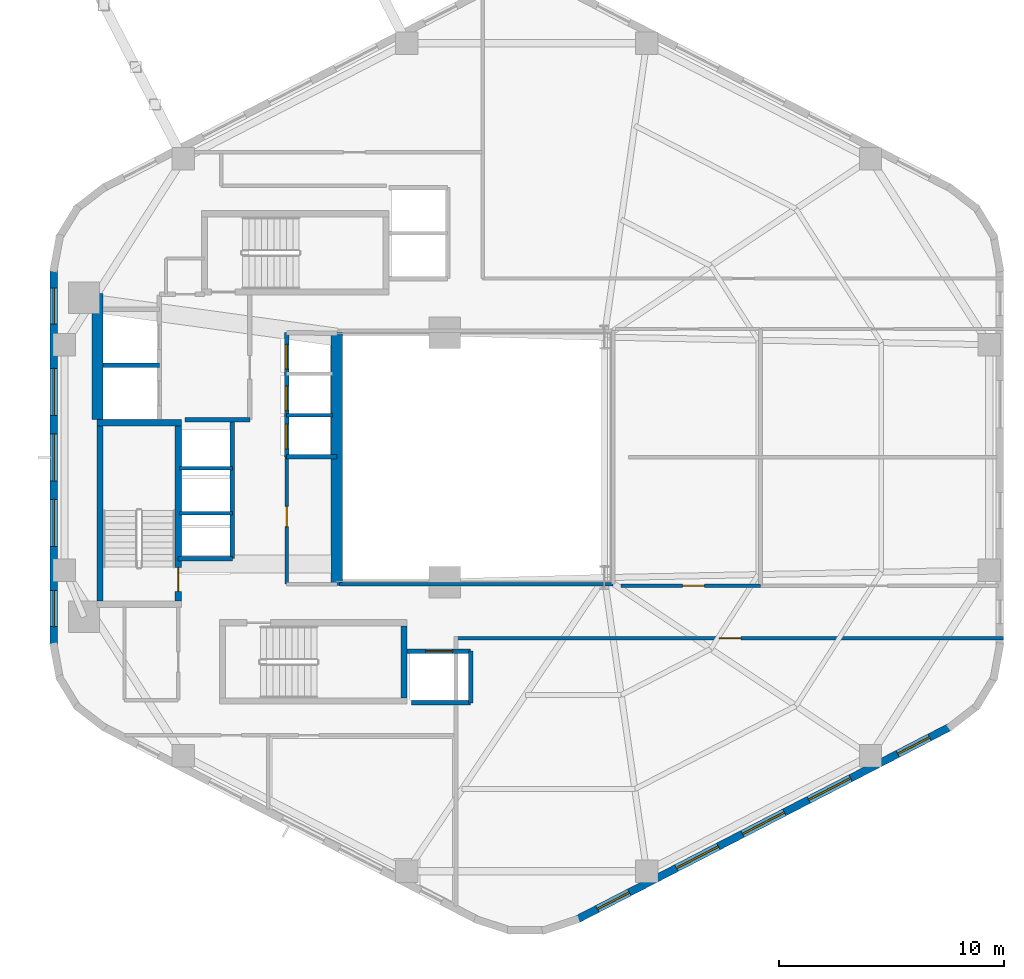
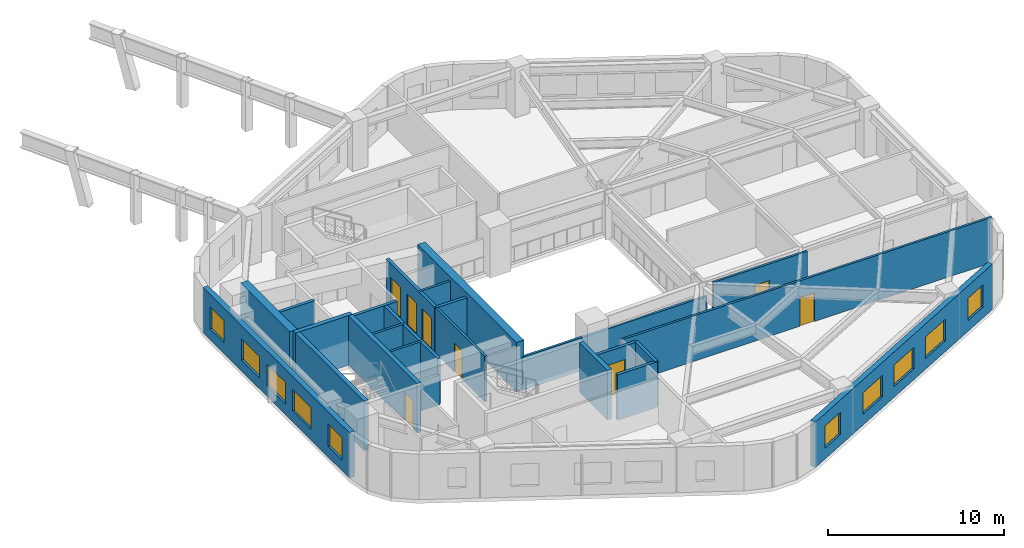
# One storey, part 3 of 6: 24 walls, 10 windows, 8 doors, 18 openings.
"""IFC4 building model written with IfcOpenShell, lengths in metres."""

from ifc_helpers import new_model, si_unit, direction, frame, frame_2d, origin, place, context, subcontext, project, spatial, rectangle, extrude, material, layer, layer_set, type_object, element, fill, save


model = new_model("IFC4")

# Units and contexts
model_context = context("Model", 3, precision=1e-05, world=origin(), true_north=direction((0.0, 1.0)))
body_context = subcontext(model_context, "Body", "Model", "MODEL_VIEW")
ifc_project = project(units=[si_unit("LENGTHUNIT", "METRE"), si_unit("AREAUNIT", "SQUARE_METRE"), si_unit("VOLUMEUNIT", "CUBIC_METRE"), si_unit("PLANEANGLEUNIT", "RADIAN"), si_unit("MASSUNIT", "GRAM", prefix="KILO"), si_unit("THERMODYNAMICTEMPERATUREUNIT", "KELVIN"), si_unit("POWERUNIT", "WATT")], contexts=[model_context])

# Site, building, storey
site_placement = place(None, origin())
site = spatial("IfcSite", under=ifc_project, at=site_placement, CompositionType="ELEMENT")
building_placement = place(site_placement, origin())
building = spatial("IfcBuilding", under=site, at=building_placement, Name="Skarre Station Tower", CompositionType="ELEMENT")
storey_placement = place(building_placement, frame((0.0, 0.0, 136.050048828125)))
storey = spatial("IfcBuildingStorey", under=building, at=storey_placement, Name="L36", CompositionType="ELEMENT", Elevation=136.050048828125)

# Wall, opening, door
ifc_material_1 = material(Name="Acoustic Steel-Stud Gypsum Partition", Category="steel")
ifc_layer_1 = layer(ifc_material_1, 0.14990234375, Name="Acoustic Steel-Stud Gypsum Partition")
ifc_layer_set_1 = layer_set([ifc_layer_1], Name="Acoustic Steel-Stud Gypsum Partition")
wall_type_1 = type_object("IfcWallType", Name="Fire-Rated Corridor Acoustic Partition 150", PredefinedType="PARTITIONING", material=ifc_layer_set_1)
wall_1_placement = place(storey_placement, frame((25.320068359375, 24.02001953125, 0.0), z_axis=(0.0, 0.0, 1.0), x_axis=(0.0, -1.0, 0.0)))
wall_1 = element("IfcWall", 1, at=wall_1_placement, inside=storey, type_object=wall_type_1, Name="L36 Interior Partition WL-PT-L36-RC1-W", PredefinedType="PARTITIONING", context=body_context, shape_type="SweptSolid", body=[
    extrude(rectangle(XDim=5.659912109375, YDim=0.14990234375, at=frame_2d((2.830078125, 0.0))), origin(), (0.0, 0.0, 1.0), 3.159912109375),
])
opening_1_placement = place(wall_1_placement, frame((2.199951171875, 0.0, 0.0)))
opening_1 = element("IfcOpeningElement", 2, at=opening_1_placement, cuts=wall_1, Name="Opening DR-SVC90", PredefinedType="OPENING", context=body_context, shape_type="SweptSolid", body=[
    extrude(rectangle(XDim=0.89990234375, YDim=2.0, at=frame_2d((0.449951171875, 1.0))), frame((0.0, 0.0849609375, 0.0), z_axis=(0.0, -1.0, 0.0), x_axis=(1.0, 0.0, 0.0)), (0.0, 0.0, 1.0), 0.169921875),
])
ifc_material_2 = material(Name="Powder-Coated Hollow-Metal Acoustic Fire Leaf", Category="steel")
door_type_1 = type_object("IfcDoorType", Name="Service & Riser Fire Door FD60 900x2100", OperationType="SINGLE_SWING_LEFT", PredefinedType="DOOR", material=ifc_material_2)
door_1_placement = place(opening_1_placement, origin())
door_1 = element("IfcDoor", 3, at=door_1_placement, inside=storey, type_object=door_type_1, Name="L36 Guest Pantry Door", OperationType="SINGLE_SWING_LEFT", OverallHeight=2.0, OverallWidth=0.89990234375, PredefinedType="DOOR", context=body_context, shape_type="SweptSolid", body=[
    extrude(rectangle(XDim=0.89990234375, YDim=2.0, at=frame_2d((0.449951171875, 1.0))), frame((0.0, 0.02490234375, 0.0), z_axis=(0.0, -1.0, 0.0), x_axis=(1.0, 0.0, 0.0)), (0.0, 0.0, 1.0), 0.050048828125),
])
fill(opening_1, door_1)

# Wall
wall_2_placement = place(storey_placement, frame((27.675048828125, 18.360107421875, 0.0), z_axis=(0.0, 0.0, 1.0), x_axis=(1.0, 0.0, 0.0)))
element("IfcWall", 4, at=wall_2_placement, inside=storey, type_object=wall_type_1, Name="L36 Interior Partition WL-PT-L36-ATRW-S", PredefinedType="PARTITIONING", context=body_context, shape_type="SweptSolid", body=[
    extrude(rectangle(XDim=12.1650390625, YDim=0.14990234375, at=frame_2d((6.08251953125, 0.0))), origin(), (0.0, 0.0, 1.0), 2.301025390625),
])

# Wall, opening, door
wall_3_placement = place(storey_placement, frame((46.39306640625, 18.2900390625, 0.0), z_axis=(0.0, 0.0, 1.0), x_axis=(-1.0, 0.0, 0.0)))
wall_3 = element("IfcWall", 5, at=wall_3_placement, inside=storey, type_object=wall_type_1, Name="L36 Interior Partition WL-PT-L36-EWS1-CW", PredefinedType="PARTITIONING", context=body_context, shape_type="SweptSolid", body=[
    extrude(rectangle(XDim=6.193115234375, YDim=0.14990234375, at=frame_2d((3.0966796875, 0.0))), origin(), (0.0, 0.0, 1.0), 3.159912109375),
])
opening_2_placement = place(wall_3_placement, frame((2.49609375, 0.0, 0.0)))
opening_2 = element("IfcOpeningElement", 6, at=opening_2_placement, cuts=wall_3, Name="Opening DR-FD60", PredefinedType="OPENING", context=body_context, shape_type="SweptSolid", body=[
    extrude(rectangle(XDim=0.9599609375, YDim=2.0, at=frame_2d((0.47998046875, 1.0))), frame((0.0, 0.0849609375, 0.0), z_axis=(0.0, -1.0, 0.0), x_axis=(1.0, 0.0, 0.0)), (0.0, 0.0, 1.0), 0.169921875),
])
ifc_material_3 = material(Name="Nordic White-Oak Veneer Solid-Core Fire Leaf", Category="wood")
door_type_2 = type_object("IfcDoorType", Name="Corridor Suite Entry Fire Door FD60 960x2150", OperationType="SINGLE_SWING_LEFT", PredefinedType="DOOR", material=ifc_material_3)
door_2_placement = place(opening_2_placement, origin())
door_2 = element("IfcDoor", 7, at=door_2_placement, inside=storey, type_object=door_type_2, Name="L36 EWS1 Entry Door", OperationType="SINGLE_SWING_LEFT", OverallHeight=2.0, OverallWidth=0.9599609375, PredefinedType="DOOR", context=body_context, shape_type="SweptSolid", body=[
    extrude(rectangle(XDim=0.9599609375, YDim=2.0, at=frame_2d((0.47998046875, 1.0))), frame((0.0, 0.02490234375, 0.0), z_axis=(0.0, -1.0, 0.0), x_axis=(1.0, 0.0, 0.0)), (0.0, 0.0, 1.0), 0.050048828125),
])
fill(opening_2, door_2)

wall_4_placement = place(storey_placement, frame((32.85009765625, 15.9599609375, 0.0), z_axis=(0.0, 0.0, 1.0), x_axis=(1.0, 0.0, 0.0)))
wall_4 = element("IfcWall", 8, at=wall_4_placement, inside=storey, type_object=wall_type_1, Name="L36 Interior Partition WL-PT-L36-SW1-CW", PredefinedType="PARTITIONING", context=body_context, shape_type="SweptSolid", body=[
    extrude(rectangle(XDim=24.35791015625, YDim=0.14990234375, at=frame_2d((12.178955078125, 0.0))), origin(), (0.0, 0.0, 1.0), 3.159912109375),
])
opening_3_placement = place(wall_4_placement, frame((11.712890625, 0.0, 0.0)))
opening_3 = element("IfcOpeningElement", 9, at=opening_3_placement, cuts=wall_4, Name="Opening DR-FD60", PredefinedType="OPENING", context=body_context, shape_type="SweptSolid", body=[
    extrude(rectangle(XDim=0.9599609375, YDim=2.0, at=frame_2d((0.47998046875, 1.0))), frame((0.0, 0.0849609375, 0.0), z_axis=(0.0, -1.0, 0.0), x_axis=(1.0, 0.0, 0.0)), (0.0, 0.0, 1.0), 0.169921875),
])
door_3_placement = place(opening_3_placement, origin())
door_3 = element("IfcDoor", 10, at=door_3_placement, inside=storey, type_object=door_type_2, Name="L36 SW1 Entry Door", OperationType="SINGLE_SWING_LEFT", OverallHeight=2.0, OverallWidth=0.9599609375, PredefinedType="DOOR", context=body_context, shape_type="SweptSolid", body=[
    extrude(rectangle(XDim=0.9599609375, YDim=2.0, at=frame_2d((0.47998046875, 1.0))), frame((0.0, 0.02490234375, 0.0), z_axis=(0.0, -1.0, 0.0), x_axis=(1.0, 0.0, 0.0)), (0.0, 0.0, 1.0), 0.050048828125),
])
fill(opening_3, door_3)

# Wall, openings, windows
ifc_material_4 = material(Name="Precast concrete C45/55", Category="concrete")
ifc_layer_2 = layer(ifc_material_4, 0.340087890625, Name="Precast concrete C45/55")
ifc_layer_set_2 = layer_set([ifc_layer_2], Name="Precast concrete C45/55")
wall_type_2 = type_object("IfcWallType", Name="Nordic Honed Precast Facet Wall 340", PredefinedType="STANDARD", material=ifc_layer_set_2)
wall_5_placement = place(storey_placement, frame((14.951904296875, 15.64794921875, 0.0), z_axis=(0.0, 0.0, 1.0), x_axis=(0.0, 1.0, 0.0)))
wall_5 = element("IfcWall", 11, at=wall_5_placement, inside=storey, type_object=wall_type_2, Name="L36 Facet 2 Nordic Precast Masonry Wall", PredefinedType="STANDARD", context=body_context, shape_type="SweptSolid", body=[
    extrude(rectangle(XDim=16.7041015625, YDim=0.340087890625, at=frame_2d((8.35205078125, 0.0))), origin(), (0.0, 0.0, 1.0), 3.159912109375),
])
opening_4_placement = place(wall_5_placement, frame((0.825927734375, 0.0, 0.75)))
opening_4 = element("IfcOpeningElement", 12, at=opening_4_placement, cuts=wall_5, Name="Opening WN-Z2A", PredefinedType="OPENING", context=body_context, shape_type="SweptSolid", body=[
    extrude(rectangle(XDim=1.60009765625, YDim=1.550048828125, at=frame_2d((0.800048828125, 0.77490234375))), frame((0.0, 0.179931640625, 0.0), z_axis=(0.0, -1.0, 0.0), x_axis=(1.0, 0.0, 0.0)), (0.0, 0.0, 1.0), 0.360107421875),
])
opening_5_placement = place(wall_5_placement, frame((4.387939453125, 0.0, 0.75)))
opening_5 = element("IfcOpeningElement", 13, at=opening_5_placement, cuts=wall_5, Name="Opening WN-Z2B", PredefinedType="OPENING", context=body_context, shape_type="SweptSolid", body=[
    extrude(rectangle(XDim=2.10009765625, YDim=1.5, at=frame_2d((1.050048828125, 0.75))), frame((0.0, 0.179931640625, 0.0), z_axis=(0.0, -1.0, 0.0), x_axis=(1.0, 0.0, 0.0)), (0.0, 0.0, 1.0), 0.360107421875),
])
opening_6_placement = place(wall_5_placement, frame((7.302001953125, 0.0, 0.75)))
opening_6 = element("IfcOpeningElement", 14, at=opening_6_placement, cuts=wall_5, Name="Opening WN-Z2B", PredefinedType="OPENING", context=body_context, shape_type="SweptSolid", body=[
    extrude(rectangle(XDim=2.10009765625, YDim=1.5, at=frame_2d((1.050048828125, 0.75))), frame((0.0, 0.179931640625, 0.0), z_axis=(0.0, -1.0, 0.0), x_axis=(1.0, 0.0, 0.0)), (0.0, 0.0, 1.0), 0.360107421875),
])
opening_7_placement = place(wall_5_placement, frame((10.216064453125, 0.0, 0.75)))
opening_7 = element("IfcOpeningElement", 15, at=opening_7_placement, cuts=wall_5, Name="Opening WN-Z2B", PredefinedType="OPENING", context=body_context, shape_type="SweptSolid", body=[
    extrude(rectangle(XDim=2.10009765625, YDim=1.5, at=frame_2d((1.050048828125, 0.75))), frame((0.0, 0.179931640625, 0.0), z_axis=(0.0, -1.0, 0.0), x_axis=(1.0, 0.0, 0.0)), (0.0, 0.0, 1.0), 0.360107421875),
])
opening_8_placement = place(wall_5_placement, frame((14.278076171875, 0.0, 0.75)))
opening_8 = element("IfcOpeningElement", 16, at=opening_8_placement, cuts=wall_5, Name="Opening WN-Z2A", PredefinedType="OPENING", context=body_context, shape_type="SweptSolid", body=[
    extrude(rectangle(XDim=1.60009765625, YDim=1.550048828125, at=frame_2d((0.800048828125, 0.77490234375))), frame((0.0, 0.179931640625, 0.0), z_axis=(0.0, -1.0, 0.0), x_axis=(1.0, 0.0, 0.0)), (0.0, 0.0, 1.0), 0.360107421875),
])
ifc_material_5 = material(Name="Low-Iron Triple Glazing with Bronze Anodized Frame", Category="glass")
window_type_1 = type_object("IfcWindowType", Name="Nordic Residential Tall Window 1600x1550", PartitioningType="SINGLE_PANEL", PredefinedType="WINDOW", material=ifc_material_5)
window_1_placement = place(opening_4_placement, origin())
window_1 = element("IfcWindow", 17, at=window_1_placement, inside=storey, type_object=window_type_1, Name="L36 Facade Window WL-FAC-L36-F2-1", OverallHeight=1.550048828125, OverallWidth=1.60009765625, PartitioningType="SINGLE_PANEL", PredefinedType="WINDOW", context=body_context, shape_type="SweptSolid", body=[
    extrude(rectangle(XDim=1.60009765625, YDim=1.550048828125, at=frame_2d((0.800048828125, 0.77490234375))), frame((0.0, 0.030029296875, 0.0), z_axis=(0.0, -1.0, 0.0), x_axis=(1.0, 0.0, 0.0)), (0.0, 0.0, 1.0), 0.06005859375),
])
fill(opening_4, window_1)
window_2_placement = place(opening_8_placement, origin())
window_2 = element("IfcWindow", 18, at=window_2_placement, inside=storey, type_object=window_type_1, Name="L36 Facade Window WL-FAC-L36-F2-5", OverallHeight=1.550048828125, OverallWidth=1.60009765625, PartitioningType="SINGLE_PANEL", PredefinedType="WINDOW", context=body_context, shape_type="SweptSolid", body=[
    extrude(rectangle(XDim=1.60009765625, YDim=1.550048828125, at=frame_2d((0.800048828125, 0.77490234375))), frame((0.0, 0.030029296875, 0.0), z_axis=(0.0, -1.0, 0.0), x_axis=(1.0, 0.0, 0.0)), (0.0, 0.0, 1.0), 0.06005859375),
])
fill(opening_8, window_2)
window_type_2 = type_object("IfcWindowType", Name="Nordic Residential Twin Window 2100x1500", PartitioningType="SINGLE_PANEL", PredefinedType="WINDOW", material=ifc_material_5)
window_3_placement = place(opening_5_placement, origin())
window_3 = element("IfcWindow", 19, at=window_3_placement, inside=storey, type_object=window_type_2, Name="L36 Facade Window WL-FAC-L36-F2-2", OverallHeight=1.5, OverallWidth=2.10009765625, PartitioningType="SINGLE_PANEL", PredefinedType="WINDOW", context=body_context, shape_type="SweptSolid", body=[
    extrude(rectangle(XDim=2.10009765625, YDim=1.5, at=frame_2d((1.050048828125, 0.75))), frame((0.0, 0.030029296875, 0.0), z_axis=(0.0, -1.0, 0.0), x_axis=(1.0, 0.0, 0.0)), (0.0, 0.0, 1.0), 0.06005859375),
])
fill(opening_5, window_3)
window_4_placement = place(opening_6_placement, origin())
window_4 = element("IfcWindow", 20, at=window_4_placement, inside=storey, type_object=window_type_2, Name="L36 Facade Window WL-FAC-L36-F2-3", OverallHeight=1.5, OverallWidth=2.10009765625, PartitioningType="SINGLE_PANEL", PredefinedType="WINDOW", context=body_context, shape_type="SweptSolid", body=[
    extrude(rectangle(XDim=2.10009765625, YDim=1.5, at=frame_2d((1.050048828125, 0.75))), frame((0.0, 0.030029296875, 0.0), z_axis=(0.0, -1.0, 0.0), x_axis=(1.0, 0.0, 0.0)), (0.0, 0.0, 1.0), 0.06005859375),
])
fill(opening_6, window_4)
window_5_placement = place(opening_7_placement, origin())
window_5 = element("IfcWindow", 21, at=window_5_placement, inside=storey, type_object=window_type_2, Name="L36 Facade Window WL-FAC-L36-F2-4", OverallHeight=1.5, OverallWidth=2.10009765625, PartitioningType="SINGLE_PANEL", PredefinedType="WINDOW", context=body_context, shape_type="SweptSolid", body=[
    extrude(rectangle(XDim=2.10009765625, YDim=1.5, at=frame_2d((1.050048828125, 0.75))), frame((0.0, 0.030029296875, 0.0), z_axis=(0.0, -1.0, 0.0), x_axis=(1.0, 0.0, 0.0)), (0.0, 0.0, 1.0), 0.06005859375),
])
fill(opening_7, window_5)

wall_6_placement = place(storey_placement, frame((54.8310546875, 12.010009765625, 0.0), z_axis=(0.0, 0.0, 1.0), x_axis=(-0.888613612362, -0.458656568606, 0.0)))
wall_6 = element("IfcWall", 22, at=wall_6_placement, inside=storey, type_object=wall_type_2, Name="L36 Facet 4 Nordic Precast Masonry Wall", PredefinedType="STANDARD", context=body_context, shape_type="SweptSolid", body=[
    extrude(rectangle(XDim=18.680908203125, YDim=0.340087890625, at=frame_2d((9.34033203125, 0.0))), origin(), (0.0, 0.0, 1.0), 3.159912109375),
])
opening_9_placement = place(wall_6_placement, frame((1.02294921875, 0.0, 0.75)))
opening_9 = element("IfcOpeningElement", 23, at=opening_9_placement, cuts=wall_6, Name="Opening WN-Z2A", PredefinedType="OPENING", context=body_context, shape_type="SweptSolid", body=[
    extrude(rectangle(XDim=1.60009765625, YDim=1.550048828125, at=frame_2d((0.800048828125, 0.77490234375))), frame((0.0, 0.179931640625, 0.0), z_axis=(0.0, -1.0, 0.0), x_axis=(1.0, 0.0, 0.0)), (0.0, 0.0, 1.0), 0.360107421875),
])
opening_10_placement = place(wall_6_placement, frame((4.98095703125, 0.0, 0.75)))
opening_10 = element("IfcOpeningElement", 24, at=opening_10_placement, cuts=wall_6, Name="Opening WN-Z2B", PredefinedType="OPENING", context=body_context, shape_type="SweptSolid", body=[
    extrude(rectangle(XDim=2.10009765625, YDim=1.5, at=frame_2d((1.050048828125, 0.75))), frame((0.0, 0.179931640625, 0.0), z_axis=(0.0, -1.0, 0.0), x_axis=(1.0, 0.0, 0.0)), (0.0, 0.0, 1.0), 0.360107421875),
])
opening_11_placement = place(wall_6_placement, frame((8.2900390625, 0.0, 0.75)))
opening_11 = element("IfcOpeningElement", 25, at=opening_11_placement, cuts=wall_6, Name="Opening WN-Z2B", PredefinedType="OPENING", context=body_context, shape_type="SweptSolid", body=[
    extrude(rectangle(XDim=2.10009765625, YDim=1.5, at=frame_2d((1.050048828125, 0.75))), frame((0.0, 0.179931640625, 0.0), z_axis=(0.0, -1.0, 0.0), x_axis=(1.0, 0.0, 0.0)), (0.0, 0.0, 1.0), 0.360107421875),
])
opening_12_placement = place(wall_6_placement, frame((11.60009765625, 0.0, 0.75)))
opening_12 = element("IfcOpeningElement", 26, at=opening_12_placement, cuts=wall_6, Name="Opening WN-Z2B", PredefinedType="OPENING", context=body_context, shape_type="SweptSolid", body=[
    extrude(rectangle(XDim=2.10009765625, YDim=1.5, at=frame_2d((1.050048828125, 0.75))), frame((0.0, 0.179931640625, 0.0), z_axis=(0.0, -1.0, 0.0), x_axis=(1.0, 0.0, 0.0)), (0.0, 0.0, 1.0), 0.360107421875),
])
opening_13_placement = place(wall_6_placement, frame((16.05810546875, 0.0, 0.75)))
opening_13 = element("IfcOpeningElement", 27, at=opening_13_placement, cuts=wall_6, Name="Opening WN-Z2A", PredefinedType="OPENING", context=body_context, shape_type="SweptSolid", body=[
    extrude(rectangle(XDim=1.60009765625, YDim=1.550048828125, at=frame_2d((0.800048828125, 0.77490234375))), frame((0.0, 0.179931640625, 0.0), z_axis=(0.0, -1.0, 0.0), x_axis=(1.0, 0.0, 0.0)), (0.0, 0.0, 1.0), 0.360107421875),
])
window_6_placement = place(opening_9_placement, origin())
window_6 = element("IfcWindow", 28, at=window_6_placement, inside=storey, type_object=window_type_1, Name="L36 Facade Window WL-FAC-L36-F4-1", OverallHeight=1.550048828125, OverallWidth=1.60009765625, PartitioningType="SINGLE_PANEL", PredefinedType="WINDOW", context=body_context, shape_type="SweptSolid", body=[
    extrude(rectangle(XDim=1.60009765625, YDim=1.550048828125, at=frame_2d((0.800048828125, 0.77490234375))), frame((0.0, 0.030029296875, 0.0), z_axis=(0.0, -1.0, 0.0), x_axis=(1.0, 0.0, 0.0)), (0.0, 0.0, 1.0), 0.06005859375),
])
fill(opening_9, window_6)
window_7_placement = place(opening_13_placement, origin())
window_7 = element("IfcWindow", 29, at=window_7_placement, inside=storey, type_object=window_type_1, Name="L36 Facade Window WL-FAC-L36-F4-5", OverallHeight=1.550048828125, OverallWidth=1.60009765625, PartitioningType="SINGLE_PANEL", PredefinedType="WINDOW", context=body_context, shape_type="SweptSolid", body=[
    extrude(rectangle(XDim=1.60009765625, YDim=1.550048828125, at=frame_2d((0.800048828125, 0.77490234375))), frame((0.0, 0.030029296875, 0.0), z_axis=(0.0, -1.0, 0.0), x_axis=(1.0, 0.0, 0.0)), (0.0, 0.0, 1.0), 0.06005859375),
])
fill(opening_13, window_7)
window_8_placement = place(opening_10_placement, origin())
window_8 = element("IfcWindow", 30, at=window_8_placement, inside=storey, type_object=window_type_2, Name="L36 Facade Window WL-FAC-L36-F4-2", OverallHeight=1.5, OverallWidth=2.10009765625, PartitioningType="SINGLE_PANEL", PredefinedType="WINDOW", context=body_context, shape_type="SweptSolid", body=[
    extrude(rectangle(XDim=2.10009765625, YDim=1.5, at=frame_2d((1.050048828125, 0.75))), frame((0.0, 0.030029296875, 0.0), z_axis=(0.0, -1.0, 0.0), x_axis=(1.0, 0.0, 0.0)), (0.0, 0.0, 1.0), 0.06005859375),
])
fill(opening_10, window_8)
window_9_placement = place(opening_11_placement, origin())
window_9 = element("IfcWindow", 31, at=window_9_placement, inside=storey, type_object=window_type_2, Name="L36 Facade Window WL-FAC-L36-F4-3", OverallHeight=1.5, OverallWidth=2.10009765625, PartitioningType="SINGLE_PANEL", PredefinedType="WINDOW", context=body_context, shape_type="SweptSolid", body=[
    extrude(rectangle(XDim=2.10009765625, YDim=1.5, at=frame_2d((1.050048828125, 0.75))), frame((0.0, 0.030029296875, 0.0), z_axis=(0.0, -1.0, 0.0), x_axis=(1.0, 0.0, 0.0)), (0.0, 0.0, 1.0), 0.06005859375),
])
fill(opening_11, window_9)
window_10_placement = place(opening_12_placement, origin())
window_10 = element("IfcWindow", 32, at=window_10_placement, inside=storey, type_object=window_type_2, Name="L36 Facade Window WL-FAC-L36-F4-4", OverallHeight=1.5, OverallWidth=2.10009765625, PartitioningType="SINGLE_PANEL", PredefinedType="WINDOW", context=body_context, shape_type="SweptSolid", body=[
    extrude(rectangle(XDim=2.10009765625, YDim=1.5, at=frame_2d((1.050048828125, 0.75))), frame((0.0, 0.030029296875, 0.0), z_axis=(0.0, -1.0, 0.0), x_axis=(1.0, 0.0, 0.0)), (0.0, 0.0, 1.0), 0.06005859375),
])
fill(opening_12, window_10)

# Walls
ifc_material_6 = material(Name="Concrete C50/60", Category="concrete")
ifc_layer_3 = layer(ifc_material_6, 0.280029296875, Name="Concrete C50/60")
ifc_layer_set_3 = layer_set([ifc_layer_3], Name="Concrete C50/60")
wall_type_3 = type_object("IfcWallType", Name="RC Core Shear Wall 280", PredefinedType="SHEAR", material=ifc_layer_set_3)
wall_7_placement = place(storey_placement, frame((20.6298828125, 25.5400390625, 0.0), z_axis=(0.0, 0.0, 1.0), x_axis=(-1.0, 0.0, 0.0)))
element("IfcWall", 33, at=wall_7_placement, inside=storey, type_object=wall_type_3, Name="L36 Stair ST-1 North Shear Wall", PredefinedType="SHEAR", context=body_context, shape_type="SweptSolid", body=[
    extrude(rectangle(XDim=3.759765625, YDim=0.280029296875, at=frame_2d((1.8798828125, 0.0))), origin(), (0.0, 0.0, 1.0), 3.449951171875),
])
wall_8_placement = place(storey_placement, frame((17.010009765625, 25.39990234375, 0.0), z_axis=(0.0, 0.0, 1.0), x_axis=(0.0, -1.0, 0.0)))
element("IfcWall", 34, at=wall_8_placement, inside=storey, type_object=wall_type_3, Name="L36 Stair ST-1 West Shear Wall", PredefinedType="SHEAR", context=body_context, shape_type="SweptSolid", body=[
    extrude(rectangle(XDim=7.7998046875, YDim=0.280029296875, at=frame_2d((3.89990234375, 0.0))), origin(), (0.0, 0.0, 1.0), 3.449951171875),
])

# Wall, opening, door
wall_9_placement = place(storey_placement, frame((20.489990234375, 17.60009765625, 0.0), z_axis=(0.0, 0.0, 1.0), x_axis=(0.0, 1.0, 0.0)))
wall_9 = element("IfcWall", 35, at=wall_9_placement, inside=storey, type_object=wall_type_3, Name="L36 Stair ST-1 East Shear Wall", PredefinedType="SHEAR", context=body_context, shape_type="SweptSolid", body=[
    extrude(rectangle(XDim=7.7998046875, YDim=0.280029296875, at=frame_2d((3.89990234375, 0.0))), origin(), (0.0, 0.0, 1.0), 3.449951171875),
])
opening_14_placement = place(wall_9_placement, frame((0.43994140625, 0.0, 0.0)))
opening_14 = element("IfcOpeningElement", 36, at=opening_14_placement, cuts=wall_9, Name="Opening DR-FD90", PredefinedType="OPENING", context=body_context, shape_type="SweptSolid", body=[
    extrude(rectangle(XDim=1.050048828125, YDim=2.0, at=frame_2d((0.52490234375, 1.0))), frame((0.0, 0.14990234375, 0.0), z_axis=(0.0, -1.0, 0.0), x_axis=(1.0, 0.0, 0.0)), (0.0, 0.0, 1.0), 0.300048828125),
])
ifc_material_7 = material(Name="Fire-Rated Insulated Steel Frame & Timber Core Leaf", Category="steel")
door_type_3 = type_object("IfcDoorType", Name="Stair & FSAE Lobby Fire Door FD90 1050x2150", OperationType="SINGLE_SWING_RIGHT", PredefinedType="DOOR", material=ifc_material_7)
door_4_placement = place(opening_14_placement, origin())
door_4 = element("IfcDoor", 37, at=door_4_placement, inside=storey, type_object=door_type_3, Name="L36 Stair ST-1 Exit Door", OperationType="SINGLE_SWING_RIGHT", OverallHeight=2.0, OverallWidth=1.050048828125, PredefinedType="DOOR", context=body_context, shape_type="SweptSolid", body=[
    extrude(rectangle(XDim=1.050048828125, YDim=2.0, at=frame_2d((0.52490234375, 1.0))), frame((0.0, 0.02490234375, 0.0), z_axis=(0.0, -1.0, 0.0), x_axis=(1.0, 0.0, 0.0)), (0.0, 0.0, 1.0), 0.050048828125),
])
fill(opening_14, door_4)

# Walls
wall_10_placement = place(storey_placement, frame((30.5400390625, 13.300048828125, 0.0), z_axis=(0.0, 0.0, 1.0), x_axis=(0.0, 1.0, 0.0)))
element("IfcWall", 38, at=wall_10_placement, inside=storey, type_object=wall_type_3, Name="L36 Stair ST-2 East Shear Wall", PredefinedType="SHEAR", context=body_context, shape_type="SweptSolid", body=[
    extrude(rectangle(XDim=3.199951171875, YDim=0.280029296875, at=frame_2d((1.60009765625, 0.0))), origin(), (0.0, 0.0, 1.0), 3.449951171875),
])
ifc_material_8 = material(Name="Concrete C70/85", Category="concrete")
ifc_layer_4 = layer(ifc_material_8, 0.5, Name="Concrete C70/85")
ifc_layer_set_4 = layer_set([ifc_layer_4], Name="Concrete C70/85")
wall_type_4 = type_object("IfcWallType", Name="RC Core Shear Wall 500", PredefinedType="SHEAR", material=ifc_layer_set_4)
wall_11_placement = place(storey_placement, frame((16.89990234375, 25.679931640625, 0.0), z_axis=(0.0, 0.0, 1.0), x_axis=(0.0, 1.0, 0.0)))
element("IfcWall", 39, at=wall_11_placement, inside=storey, type_object=wall_type_4, Name="L36 Core West-North Shear Wall", PredefinedType="SHEAR", context=body_context, shape_type="SweptSolid", body=[
    extrude(rectangle(XDim=5.6201171875, YDim=0.5, at=frame_2d((2.81005859375, 0.0))), origin(), (0.0, 0.0, 1.0), 3.449951171875),
])
wall_12_placement = place(storey_placement, frame((27.550048828125, 29.550048828125, 0.0), z_axis=(0.0, 0.0, 1.0), x_axis=(0.0, -1.0, 0.0)))
element("IfcWall", 40, at=wall_12_placement, inside=storey, type_object=wall_type_4, Name="L36 Core East Atrium Shear Wall", PredefinedType="SHEAR", context=body_context, shape_type="SweptSolid", body=[
    extrude(rectangle(XDim=11.25, YDim=0.5, at=frame_2d((5.625, 0.0))), origin(), (0.0, 0.0, 1.0), 3.449951171875),
])
ifc_material_9 = material(Name="Gypsum Concrete Shaft Assembly C30/37", Category="concrete")
ifc_layer_5 = layer(ifc_material_9, 0.199951171875, Name="Gypsum Concrete Shaft Assembly C30/37")
ifc_layer_set_5 = layer_set([ifc_layer_5], Name="Gypsum Concrete Shaft Assembly C30/37")
wall_type_5 = type_object("IfcWallType", Name="Shaft & Core Fire Partition 200", PredefinedType="PARTITIONING", material=ifc_layer_set_5)
wall_13_placement = place(storey_placement, frame((20.79296875, 25.679931640625, 0.0), z_axis=(0.0, 0.0, 1.0), x_axis=(1.0, 0.0, 0.0)))
element("IfcWall", 41, at=wall_13_placement, inside=storey, type_object=wall_type_5, Name="L36 Interior Partition WL-PT-L36-FSAE-S", PredefinedType="PARTITIONING", context=body_context, shape_type="SweptSolid", body=[
    extrude(rectangle(XDim=2.886962890625, YDim=0.199951171875, at=frame_2d((1.443359375, 0.0))), origin(), (0.0, 0.0, 1.0), 3.159912109375),
])
wall_14_placement = place(storey_placement, frame((17.14990234375, 28.10009765625, 0.0), z_axis=(0.0, 0.0, 1.0), x_axis=(1.0, 0.0, 0.0)))
element("IfcWall", 42, at=wall_14_placement, inside=storey, type_object=wall_type_5, Name="L36 Interior Partition WL-PT-L36-FF-DIV", PredefinedType="PARTITIONING", context=body_context, shape_type="SweptSolid", body=[
    extrude(rectangle(XDim=2.5, YDim=0.199951171875, at=frame_2d((1.25, 0.0))), origin(), (0.0, 0.0, 1.0), 3.159912109375),
])

# Wall, opening, door
wall_15_placement = place(storey_placement, frame((33.5, 15.3798828125, 0.0), z_axis=(0.0, 0.0, 1.0), x_axis=(-1.0, 0.0, 0.0)))
wall_15 = element("IfcWall", 43, at=wall_15_placement, inside=storey, type_object=wall_type_5, Name="L36 Interior Partition WL-PT-L36-SV1-N", PredefinedType="PARTITIONING", context=body_context, shape_type="SweptSolid", body=[
    extrude(rectangle(XDim=2.820068359375, YDim=0.199951171875, at=frame_2d((1.41015625, 0.0))), origin(), (0.0, 0.0, 1.0), 3.159912109375),
])
opening_15_placement = place(wall_15_placement, frame((0.800048828125, 0.0, 0.0)))
opening_15 = element("IfcOpeningElement", 44, at=opening_15_placement, cuts=wall_15, Name="Opening LD-SV1", PredefinedType="OPENING", context=body_context, shape_type="SweptSolid", body=[
    extrude(rectangle(XDim=1.199951171875, YDim=2.199951171875, at=frame_2d((0.60009765625, 1.10009765625))), frame((0.0, 0.10986328125, 0.0), z_axis=(0.0, -1.0, 0.0), x_axis=(1.0, 0.0, 0.0)), (0.0, 0.0, 1.0), 0.219970703125),
])
ifc_material_10 = material(Name="Heavy-Gauge Brushed Stainless Steel Sliding Leaves", Category="steel")
door_type_4 = type_object("IfcDoorType", Name="Service Elevator Wide Sliding Landing Door 1200x2200", OperationType="SLIDING_TO_RIGHT", PredefinedType="DOOR", material=ifc_material_10)
door_5_placement = place(opening_15_placement, origin())
door_5 = element("IfcDoor", 45, at=door_5_placement, inside=storey, type_object=door_type_4, Name="L36 Service Lift LF-SV1 Landing Door", OperationType="SLIDING_TO_RIGHT", OverallHeight=2.199951171875, OverallWidth=1.199951171875, PredefinedType="DOOR", context=body_context, shape_type="SweptSolid", body=[
    extrude(rectangle(XDim=1.199951171875, YDim=2.199951171875, at=frame_2d((0.60009765625, 1.10009765625))), frame((0.0, 0.02490234375, 0.0), z_axis=(0.0, -1.0, 0.0), x_axis=(1.0, 0.0, 0.0)), (0.0, 0.0, 1.0), 0.050048828125),
])
fill(opening_15, door_5)

# Walls
wall_16_placement = place(storey_placement, frame((33.5, 13.080078125, 0.0), z_axis=(0.0, 0.0, 1.0), x_axis=(0.0, 1.0, 0.0)))
element("IfcWall", 46, at=wall_16_placement, inside=storey, type_object=wall_type_5, Name="L36 Interior Partition WL-PT-L36-SV1-E", PredefinedType="PARTITIONING", context=body_context, shape_type="SweptSolid", body=[
    extrude(rectangle(XDim=2.2998046875, YDim=0.199951171875, at=frame_2d((1.14990234375, 0.0))), origin(), (0.0, 0.0, 1.0), 3.159912109375),
])
wall_17_placement = place(storey_placement, frame((30.87890625, 13.080078125, 0.0), z_axis=(0.0, 0.0, 1.0), x_axis=(1.0, 0.0, 0.0)))
element("IfcWall", 47, at=wall_17_placement, inside=storey, type_object=wall_type_5, Name="L36 Interior Partition WL-PT-L36-SV1-S", PredefinedType="PARTITIONING", context=body_context, shape_type="SweptSolid", body=[
    extrude(rectangle(XDim=2.62109375, YDim=0.199951171875, at=frame_2d((1.310546875, 0.0))), origin(), (0.0, 0.0, 1.0), 3.159912109375),
])
wall_18_placement = place(storey_placement, frame((22.89990234375, 19.5, 0.0), z_axis=(0.0, 0.0, 1.0), x_axis=(0.0, 1.0, 0.0)))
element("IfcWall", 48, at=wall_18_placement, inside=storey, type_object=wall_type_5, Name="L36 Interior Partition WL-PT-L36-B3-E", PredefinedType="PARTITIONING", context=body_context, shape_type="SweptSolid", body=[
    extrude(rectangle(XDim=6.0849609375, YDim=0.199951171875, at=frame_2d((3.04248046875, 0.0))), origin(), (0.0, 0.0, 1.0), 3.159912109375),
])
wall_19_placement = place(storey_placement, frame((20.489990234375, 19.5, 0.0), z_axis=(0.0, 0.0, 1.0), x_axis=(1.0, 0.0, 0.0)))
element("IfcWall", 49, at=wall_19_placement, inside=storey, type_object=wall_type_5, Name="L36 Interior Partition WL-PT-L36-B3-S", PredefinedType="PARTITIONING", context=body_context, shape_type="SweptSolid", body=[
    extrude(rectangle(XDim=2.409912109375, YDim=0.199951171875, at=frame_2d((1.205078125, 0.0))), origin(), (0.0, 0.0, 1.0), 2.06005859375),
])
for number, where, z_axis, x_axis, name in (
    (50, (20.550048828125, 21.52001953125, 0.0), (0.0, 0.0, 1.0), (1.0, 0.0, 0.0), "L36 Interior Partition WL-PT-L36-B3-D1"),
    (51, (20.550048828125, 23.52001953125, 0.0), (0.0, 0.0, 1.0), (1.0, 0.0, 0.0), "L36 Interior Partition WL-PT-L36-B3-D2"),
):
    element("IfcWall", number, at=place(storey_placement, frame(where, z_axis=z_axis, x_axis=x_axis)), inside=storey, type_object=wall_type_5, Name=name, PredefinedType="PARTITIONING", context=body_context, shape_type="SweptSolid", body=[
        extrude(rectangle(XDim=2.349853515625, YDim=0.159912109375, at=frame_2d((1.1748046875, 0.0))), origin(), (0.0, 0.0, 1.0), 3.159912109375),
    ])

# Wall, openings, doors
wall_20_placement = place(storey_placement, frame((25.320068359375, 29.550048828125, 0.0), z_axis=(0.0, 0.0, 1.0), x_axis=(0.0, -1.0, 0.0)))
wall_20 = element("IfcWall", 52, at=wall_20_placement, inside=storey, type_object=wall_type_5, Name="L36 Interior Partition WL-PT-L36-B2-W", PredefinedType="PARTITIONING", context=body_context, shape_type="SweptSolid", body=[
    extrude(rectangle(XDim=5.530029296875, YDim=0.199951171875, at=frame_2d((2.76513671875, 0.0))), origin(), (0.0, 0.0, 1.0), 3.159912109375),
])
opening_16_placement = place(wall_20_placement, frame((0.52001953125, 0.0, 0.0)))
opening_16 = element("IfcOpeningElement", 53, at=opening_16_placement, cuts=wall_20, Name="Opening LD-P6", PredefinedType="OPENING", context=body_context, shape_type="SweptSolid", body=[
    extrude(rectangle(XDim=1.10009765625, YDim=2.199951171875, at=frame_2d((0.550048828125, 1.10009765625))), frame((0.0, 0.10986328125, 0.0), z_axis=(0.0, -1.0, 0.0), x_axis=(1.0, 0.0, 0.0)), (0.0, 0.0, 1.0), 0.219970703125),
])
opening_17_placement = place(wall_20_placement, frame((2.3701171875, 0.0, 0.0)))
opening_17 = element("IfcOpeningElement", 54, at=opening_17_placement, cuts=wall_20, Name="Opening LD-P5", PredefinedType="OPENING", context=body_context, shape_type="SweptSolid", body=[
    extrude(rectangle(XDim=1.10009765625, YDim=2.199951171875, at=frame_2d((0.550048828125, 1.10009765625))), frame((0.0, 0.10986328125, 0.0), z_axis=(0.0, -1.0, 0.0), x_axis=(1.0, 0.0, 0.0)), (0.0, 0.0, 1.0), 0.219970703125),
])
opening_18_placement = place(wall_20_placement, frame((4.070068359375, 0.0, 0.0)))
opening_18 = element("IfcOpeningElement", 55, at=opening_18_placement, cuts=wall_20, Name="Opening LD-P4", PredefinedType="OPENING", context=body_context, shape_type="SweptSolid", body=[
    extrude(rectangle(XDim=1.10009765625, YDim=2.199951171875, at=frame_2d((0.550048828125, 1.10009765625))), frame((0.0, 0.10986328125, 0.0), z_axis=(0.0, -1.0, 0.0), x_axis=(1.0, 0.0, 0.0)), (0.0, 0.0, 1.0), 0.219970703125),
])
ifc_material_11 = material(Name="Brushed Bronze Stainless Steel Sliding Leaves", Category="steel")
door_type_5 = type_object("IfcDoorType", Name="Passenger Elevator Center-Parting Sliding Door 1100x2200", OperationType="SLIDING_TO_LEFT", PredefinedType="DOOR", material=ifc_material_11)
door_6_placement = place(opening_16_placement, origin())
door_6 = element("IfcDoor", 56, at=door_6_placement, inside=storey, type_object=door_type_5, Name="L36 Passenger Lift LF-P6 Landing Door", OperationType="SLIDING_TO_LEFT", OverallHeight=2.199951171875, OverallWidth=1.10009765625, PredefinedType="DOOR", context=body_context, shape_type="SweptSolid", body=[
    extrude(rectangle(XDim=1.10009765625, YDim=2.199951171875, at=frame_2d((0.550048828125, 1.10009765625))), frame((0.0, 0.02490234375, 0.0), z_axis=(0.0, -1.0, 0.0), x_axis=(1.0, 0.0, 0.0)), (0.0, 0.0, 1.0), 0.050048828125),
])
fill(opening_16, door_6)
door_7_placement = place(opening_17_placement, origin())
door_7 = element("IfcDoor", 57, at=door_7_placement, inside=storey, type_object=door_type_5, Name="L36 Passenger Lift LF-P5 Landing Door", OperationType="SLIDING_TO_LEFT", OverallHeight=2.199951171875, OverallWidth=1.10009765625, PredefinedType="DOOR", context=body_context, shape_type="SweptSolid", body=[
    extrude(rectangle(XDim=1.10009765625, YDim=2.199951171875, at=frame_2d((0.550048828125, 1.10009765625))), frame((0.0, 0.02490234375, 0.0), z_axis=(0.0, -1.0, 0.0), x_axis=(1.0, 0.0, 0.0)), (0.0, 0.0, 1.0), 0.050048828125),
])
fill(opening_17, door_7)
door_8_placement = place(opening_18_placement, origin())
door_8 = element("IfcDoor", 58, at=door_8_placement, inside=storey, type_object=door_type_5, Name="L36 Passenger Lift LF-P4 Landing Door", OperationType="SLIDING_TO_LEFT", OverallHeight=2.199951171875, OverallWidth=1.10009765625, PredefinedType="DOOR", context=body_context, shape_type="SweptSolid", body=[
    extrude(rectangle(XDim=1.10009765625, YDim=2.199951171875, at=frame_2d((0.550048828125, 1.10009765625))), frame((0.0, 0.02490234375, 0.0), z_axis=(0.0, -1.0, 0.0), x_axis=(1.0, 0.0, 0.0)), (0.0, 0.0, 1.0), 0.050048828125),
])
fill(opening_18, door_8)

# Walls
wall_21_placement = place(storey_placement, frame((25.320068359375, 24.02001953125, 0.0), z_axis=(0.0, 0.0, 1.0), x_axis=(1.0, 0.0, 0.0)))
element("IfcWall", 59, at=wall_21_placement, inside=storey, type_object=wall_type_5, Name="L36 Interior Partition WL-PT-L36-B2-S", PredefinedType="PARTITIONING", context=body_context, shape_type="SweptSolid", body=[
    extrude(rectangle(XDim=2.22998046875, YDim=0.199951171875, at=frame_2d((1.114990234375, 0.0))), origin(), (0.0, 0.0, 1.0), 3.159912109375),
])
wall_22_placement = place(storey_placement, frame((25.320068359375, 25.8701171875, 0.0), z_axis=(0.0, 0.0, 1.0), x_axis=(1.0, 0.0, 0.0)))
element("IfcWall", 60, at=wall_22_placement, inside=storey, type_object=wall_type_5, Name="L36 Interior Partition WL-PT-L36-B2-D258", PredefinedType="PARTITIONING", context=body_context, shape_type="SweptSolid", body=[
    extrude(rectangle(XDim=2.030029296875, YDim=0.159912109375, at=frame_2d((1.01513671875, 0.0))), origin(), (0.0, 0.0, 1.0), 3.159912109375),
])

save(model, "model.ifc")
